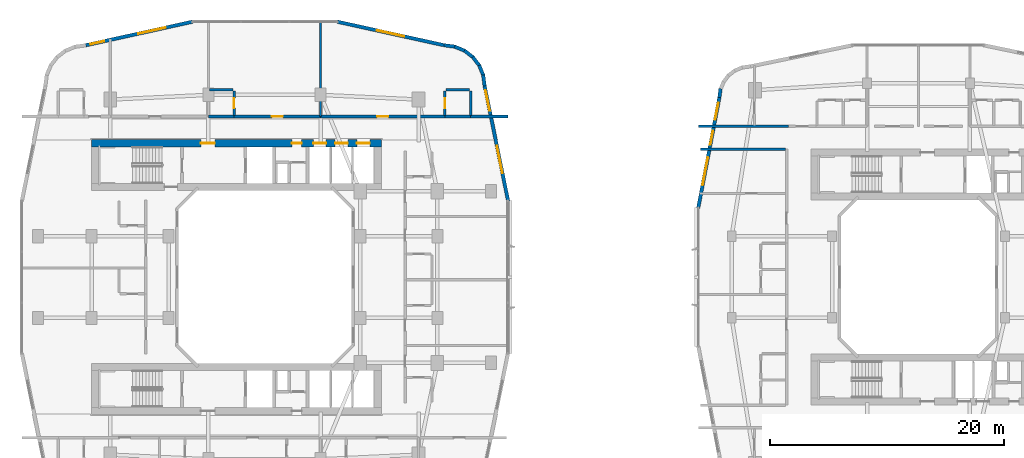
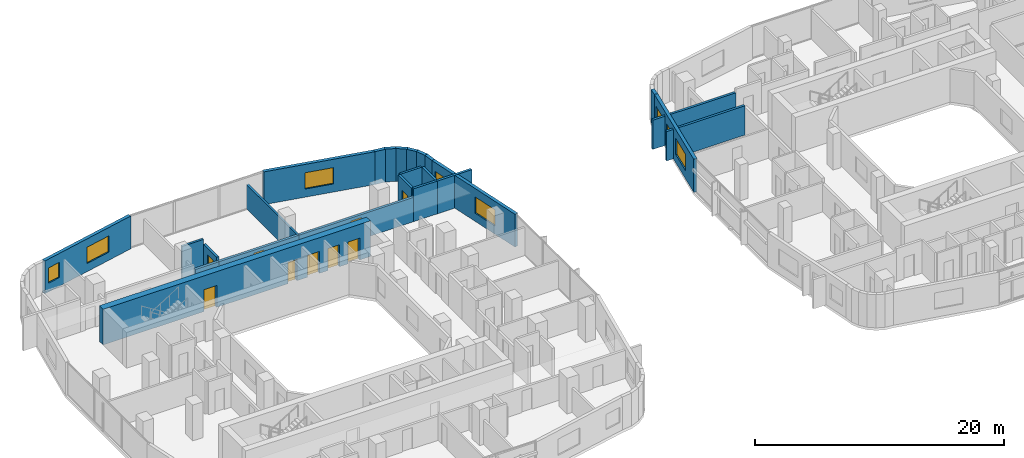
# One storey, part 17 of 27: 25 walls, 9 doors, 8 windows, 17 openings.
"""IFC4 building model written with IfcOpenShell, lengths in metres."""

from ifc_helpers import new_model, si_unit, derived_unit, direction, frame, frame_2d, origin, place, context, subcontext, project, spatial, rectangle, extrude, material, layer, layer_set, type_object, element, fill, save


model = new_model("IFC4")

# Units and contexts
model_context = context("Model", 3, precision=1e-05, world=origin(), true_north=direction((0.0, 1.0)))
body_context = subcontext(model_context, "Body", "Model", "MODEL_VIEW")
ifc_project = project(units=[si_unit("LENGTHUNIT", "METRE"), si_unit("AREAUNIT", "SQUARE_METRE"), si_unit("VOLUMEUNIT", "CUBIC_METRE"), si_unit("PLANEANGLEUNIT", "RADIAN"), si_unit("MASSUNIT", "GRAM", prefix="KILO"), derived_unit("THERMALTRANSMITTANCEUNIT", [(si_unit("POWERUNIT", "WATT"), 1), (si_unit("LENGTHUNIT", "METRE"), -2), (si_unit("THERMODYNAMICTEMPERATUREUNIT", "KELVIN"), -1)])], contexts=[model_context])

# Site, building, storey
site_placement = place(None, origin())
site = spatial("IfcSite", under=ifc_project, at=site_placement, CompositionType="ELEMENT")
building_placement = place(site_placement, origin())
building = spatial("IfcBuilding", under=site, at=building_placement, Name="Kivonza Crest Hotel", CompositionType="ELEMENT")
storey_placement = place(building_placement, frame((0.0, 0.0, 38.0)))
storey = spatial("IfcBuildingStorey", under=building, at=storey_placement, Name="L09", CompositionType="ELEMENT", Elevation=38.0)

# Walls
ifc_material_1 = material(Name="High-density acoustic masonry inter-tenancy wall", Category="masonry")
ifc_layer_1 = layer(ifc_material_1, 0.179931640625)
ifc_layer_set_1 = layer_set([ifc_layer_1], Name="High-density acoustic masonry inter-tenancy wall")
wall_type_1 = type_object("IfcWallType", Name="WL-ACOU-180", PredefinedType="SOLIDWALL", material=ifc_layer_set_1)
wall_1_placement = place(storey_placement, frame((25.800048828125, 38.75, 0.0), z_axis=(0.0, 0.0, 1.0), x_axis=(0.0, 1.0, 0.0)))
element("IfcWall", 1, at=wall_1_placement, inside=storey, type_object=wall_type_1, Name="L09 interior partition WA-L09-T1N-DIV3", PredefinedType="SOLIDWALL", context=body_context, shape_type="SweptSolid", body=[
    extrude(rectangle(XDim=8.18994140625, YDim=0.179931640625, at=frame_2d((4.094970703125, 0.0))), origin(), (0.0, 0.0, 1.0), 2.39501953125),
])
ifc_material_2 = material(Name="Autoclaved aerated concrete blockwork", Category="masonry")
ifc_layer_2 = layer(ifc_material_2, 0.219970703125)
ifc_layer_set_2 = layer_set([ifc_layer_2], Name="Autoclaved aerated concrete blockwork")
wall_type_2 = type_object("IfcWallType", Name="WL-ACOU-220", PredefinedType="SOLIDWALL", material=ifc_layer_set_2)
wall_2_placement = place(storey_placement, frame((16.199951171875, 38.75, 0.0), z_axis=(0.0, 0.0, 1.0), x_axis=(1.0, 0.0, 0.0)))
element("IfcWall", 2, at=wall_2_placement, inside=storey, type_object=wall_type_2, Name="L09 interior partition WA-L09-N02-BCORR", PredefinedType="SOLIDWALL", context=body_context, shape_type="SweptSolid", body=[
    extrude(rectangle(XDim=2.199951171875, YDim=0.219970703125, at=frame_2d((1.10009765625, 0.0))), origin(), (0.0, 0.0, 1.0), 2.39501953125),
])

# Wall, opening, door
wall_3_placement = place(storey_placement, frame((18.39990234375, 38.75, 0.0), z_axis=(0.0, 0.0, 1.0), x_axis=(1.0, 0.0, 0.0)))
wall_3 = element("IfcWall", 3, at=wall_3_placement, inside=storey, type_object=wall_type_2, Name="L09 interior partition WA-L09-N02-MCORR", PredefinedType="SOLIDWALL", context=body_context, shape_type="SweptSolid", body=[
    extrude(rectangle(XDim=7.400146484375, YDim=0.219970703125, at=frame_2d((3.7001953125, 0.0))), origin(), (0.0, 0.0, 1.0), 2.39501953125),
])
opening_1_placement = place(wall_3_placement, frame((3.22509765625, 0.0, 0.0)))
opening_1 = element("IfcOpeningElement", 4, at=opening_1_placement, cuts=wall_3, Name="Opening DU-60", PredefinedType="OPENING", context=body_context, shape_type="SweptSolid", body=[
    extrude(rectangle(XDim=0.949951171875, YDim=2.10009765625, at=frame_2d((0.47509765625, 1.050048828125))), frame((0.0, 0.1201171875, 0.0), z_axis=(0.0, -1.0, 0.0), x_axis=(1.0, 0.0, 0.0)), (0.0, 0.0, 1.0), 0.239990234375),
])
ifc_material_3 = material(Name="Hardwood timber oak", Category="wood")
door_type_1 = type_object("IfcDoorType", Name="DR-UNIT-950", OperationType="NOTDEFINED", PredefinedType="DOOR", material=ifc_material_3)
door_1_placement = place(opening_1_placement, origin())
door_1 = element("IfcDoor", 5, at=door_1_placement, inside=storey, type_object=door_type_1, Name="L09 N02 guest unit entrance fire door", OperationType="SINGLE_SWING_RIGHT", OverallHeight=2.10009765625, OverallWidth=0.949951171875, PredefinedType="DOOR", context=body_context, shape_type="SweptSolid", body=[
    extrude(rectangle(XDim=0.949951171875, YDim=2.10009765625, at=frame_2d((0.47509765625, 1.050048828125))), frame((0.0, 0.02490234375, 0.0), z_axis=(0.0, -1.0, 0.0), x_axis=(1.0, 0.0, 0.0)), (0.0, 0.0, 1.0), 0.050048828125),
])
fill(opening_1, door_1)

# Walls
wall_4_placement = place(storey_placement, frame((38.64990234375, 38.75, 0.0), z_axis=(0.0, 0.0, 1.0), x_axis=(1.0, 0.0, 0.0)))
element("IfcWall", 6, at=wall_4_placement, inside=storey, type_object=wall_type_2, Name="L09 interior partition WA-L09-N03-XCORR", PredefinedType="SOLIDWALL", context=body_context, shape_type="SweptSolid", body=[
    extrude(rectangle(XDim=3.190185546875, YDim=0.219970703125, at=frame_2d((1.59521484375, 0.0))), origin(), (0.0, 0.0, 1.0), 3.219970703125),
])
wall_5_placement = place(storey_placement, frame((36.449951171875, 38.75, 0.0), z_axis=(0.0, 0.0, 1.0), x_axis=(1.0, 0.0, 0.0)))
element("IfcWall", 7, at=wall_5_placement, inside=storey, type_object=wall_type_2, Name="L09 interior partition WA-L09-N03-BCORR", PredefinedType="SOLIDWALL", context=body_context, shape_type="SweptSolid", body=[
    extrude(rectangle(XDim=2.199951171875, YDim=0.219970703125, at=frame_2d((1.10009765625, 0.0))), origin(), (0.0, 0.0, 1.0), 3.219970703125),
])

# Wall, opening, door
wall_6_placement = place(storey_placement, frame((25.800048828125, 38.75, 0.0), z_axis=(0.0, 0.0, 1.0), x_axis=(1.0, 0.0, 0.0)))
wall_6 = element("IfcWall", 8, at=wall_6_placement, inside=storey, type_object=wall_type_2, Name="L09 interior partition WA-L09-N03-MCORR", PredefinedType="SOLIDWALL", context=body_context, shape_type="SweptSolid", body=[
    extrude(rectangle(XDim=10.64990234375, YDim=0.219970703125, at=frame_2d((5.324951171875, 0.0))), origin(), (0.0, 0.0, 1.0), 2.39501953125),
])
opening_2_placement = place(wall_6_placement, frame((4.85009765625, 0.0, 0.0)))
opening_2 = element("IfcOpeningElement", 9, at=opening_2_placement, cuts=wall_6, Name="Opening DU-60", PredefinedType="OPENING", context=body_context, shape_type="SweptSolid", body=[
    extrude(rectangle(XDim=0.949951171875, YDim=2.10009765625, at=frame_2d((0.47509765625, 1.050048828125))), frame((0.0, 0.1201171875, 0.0), z_axis=(0.0, -1.0, 0.0), x_axis=(1.0, 0.0, 0.0)), (0.0, 0.0, 1.0), 0.239990234375),
])
door_2_placement = place(opening_2_placement, origin())
door_2 = element("IfcDoor", 10, at=door_2_placement, inside=storey, type_object=door_type_1, Name="L09 N03 guest unit entrance fire door", OperationType="SINGLE_SWING_LEFT", OverallHeight=2.10009765625, OverallWidth=0.949951171875, PredefinedType="DOOR", context=body_context, shape_type="SweptSolid", body=[
    extrude(rectangle(XDim=0.949951171875, YDim=2.10009765625, at=frame_2d((0.47509765625, 1.050048828125))), frame((0.0, 0.02490234375, 0.0), z_axis=(0.0, -1.0, 0.0), x_axis=(1.0, 0.0, 0.0)), (0.0, 0.0, 1.0), 0.050048828125),
])
fill(opening_2, door_2)

# Walls
wall_7_placement = place(storey_placement, frame((58.159912109375, 37.89990234375, 0.0), z_axis=(0.0, 0.0, 1.0), x_axis=(1.0, 0.0, 0.0)))
element("IfcWall", 11, at=wall_7_placement, inside=storey, type_object=wall_type_2, Name="L09 interior partition WA-L09-A01-LCORR", PredefinedType="SOLIDWALL", context=body_context, shape_type="SweptSolid", body=[
    extrude(rectangle(XDim=7.690185546875, YDim=0.219970703125, at=frame_2d((3.84521484375, 0.0))), origin(), (0.0, 0.0, 1.0), 2.864990234375),
])
wall_8_placement = place(storey_placement, frame((58.320068359375, 35.9599609375, 0.0), z_axis=(0.0, 0.0, 1.0), x_axis=(1.0, 0.0, 0.0)))
element("IfcWall", 12, at=wall_8_placement, inside=storey, type_object=wall_type_2, Name="L09 interior partition WA-L09-T2W-ENDN", PredefinedType="SOLIDWALL", context=body_context, shape_type="SweptSolid", body=[
    extrude(rectangle(XDim=7.280029296875, YDim=0.219970703125, at=frame_2d((3.64013671875, 0.0))), origin(), (0.0, 0.0, 1.0), 2.864990234375),
])

# Wall, openings, doors
ifc_material_4 = material(Name="Concrete C60/75", Category="concrete")
ifc_layer_3 = layer(ifc_material_4, 0.60009765625)
ifc_layer_set_3 = layer_set([ifc_layer_3], Name="Concrete C60/75")
wall_type_3 = type_object("IfcWallType", Name="WL-CORE-600", PredefinedType="SHEAR", material=ifc_layer_set_3)
wall_9_placement = place(storey_placement, frame((6.199951171875, 36.4599609375, 0.0), z_axis=(0.0, 0.0, 1.0), x_axis=(1.0, 0.0, 0.0)))
wall_9 = element("IfcWall", 13, at=wall_9_placement, inside=storey, type_object=wall_type_3, Name="Core wall T1-N North L09", PredefinedType="SHEAR", context=body_context, shape_type="SweptSolid", body=[
    extrude(rectangle(XDim=24.800048828125, YDim=0.60009765625, at=frame_2d((12.39990234375, 0.0))), origin(), (0.0, 0.0, 1.0), 3.5),
])
opening_3_placement = place(wall_9_placement, frame((9.35009765625, 0.0, 0.0)))
opening_3 = element("IfcOpeningElement", 14, at=opening_3_placement, cuts=wall_9, Name="Opening DF-60", PredefinedType="OPENING", context=body_context, shape_type="SweptSolid", body=[
    extrude(rectangle(XDim=1.199951171875, YDim=2.14990234375, at=frame_2d((0.60009765625, 1.074951171875))), frame((0.0, 0.31005859375, 0.0), z_axis=(0.0, -1.0, 0.0), x_axis=(1.0, 0.0, 0.0)), (0.0, 0.0, 1.0), 0.6201171875),
])
opening_4_placement = place(wall_9_placement, frame((17.139892578125, 0.0, 0.0)))
opening_4 = element("IfcOpeningElement", 15, at=opening_4_placement, cuts=wall_9, Name="Opening DF-60R", PredefinedType="OPENING", context=body_context, shape_type="SweptSolid", body=[
    extrude(rectangle(XDim=0.85009765625, YDim=2.10009765625, at=frame_2d((0.425048828125, 1.050048828125))), frame((0.0, 0.31005859375, 0.0), z_axis=(0.0, -1.0, 0.0), x_axis=(1.0, 0.0, 0.0)), (0.0, 0.0, 1.0), 0.6201171875),
])
opening_5_placement = place(wall_9_placement, frame((18.98291015625, 0.0, 0.0)))
opening_5 = element("IfcOpeningElement", 16, at=opening_5_placement, cuts=wall_9, Name="Opening LD-120", PredefinedType="OPENING", context=body_context, shape_type="SweptSolid", body=[
    extrude(rectangle(XDim=1.10009765625, YDim=2.14990234375, at=frame_2d((0.550048828125, 1.074951171875))), frame((0.0, 0.31005859375, 0.0), z_axis=(0.0, -1.0, 0.0), x_axis=(1.0, 0.0, 0.0)), (0.0, 0.0, 1.0), 0.6201171875),
])
opening_6_placement = place(wall_9_placement, frame((20.85009765625, 0.0, 0.0)))
opening_6 = element("IfcOpeningElement", 17, at=opening_6_placement, cuts=wall_9, Name="Opening LD-120", PredefinedType="OPENING", context=body_context, shape_type="SweptSolid", body=[
    extrude(rectangle(XDim=1.10009765625, YDim=2.14990234375, at=frame_2d((0.550048828125, 1.074951171875))), frame((0.0, 0.31005859375, 0.0), z_axis=(0.0, -1.0, 0.0), x_axis=(1.0, 0.0, 0.0)), (0.0, 0.0, 1.0), 0.6201171875),
])
opening_7_placement = place(wall_9_placement, frame((22.716064453125, 0.0, 0.0)))
opening_7 = element("IfcOpeningElement", 18, at=opening_7_placement, cuts=wall_9, Name="Opening LD-120", PredefinedType="OPENING", context=body_context, shape_type="SweptSolid", body=[
    extrude(rectangle(XDim=1.10009765625, YDim=2.14990234375, at=frame_2d((0.550048828125, 1.074951171875))), frame((0.0, 0.31005859375, 0.0), z_axis=(0.0, -1.0, 0.0), x_axis=(1.0, 0.0, 0.0)), (0.0, 0.0, 1.0), 0.6201171875),
])
door_type_2 = type_object("IfcDoorType", Name="DR-FD60-1200", OperationType="NOTDEFINED", PredefinedType="DOOR", material=ifc_material_3)
door_3_placement = place(opening_3_placement, origin())
door_3 = element("IfcDoor", 19, at=door_3_placement, inside=storey, type_object=door_type_2, Name="L09 T1-N firefighting lobby fire door", OperationType="SINGLE_SWING_RIGHT", OverallHeight=2.14990234375, OverallWidth=1.199951171875, PredefinedType="DOOR", context=body_context, shape_type="SweptSolid", body=[
    extrude(rectangle(XDim=1.199951171875, YDim=2.14990234375, at=frame_2d((0.60009765625, 1.074951171875))), frame((0.0, 0.02490234375, 0.0), z_axis=(0.0, -1.0, 0.0), x_axis=(1.0, 0.0, 0.0)), (0.0, 0.0, 1.0), 0.050048828125),
])
fill(opening_3, door_3)
door_type_3 = type_object("IfcDoorType", Name="DR-FD60-850", OperationType="NOTDEFINED", PredefinedType="DOOR", material=ifc_material_3)
door_4_placement = place(opening_4_placement, origin())
door_4 = element("IfcDoor", 20, at=door_4_placement, inside=storey, type_object=door_type_3, Name="L09 T1-N core room door", OperationType="SINGLE_SWING_RIGHT", OverallHeight=2.10009765625, OverallWidth=0.85009765625, PredefinedType="DOOR", context=body_context, shape_type="SweptSolid", body=[
    extrude(rectangle(XDim=0.85009765625, YDim=2.10009765625, at=frame_2d((0.425048828125, 1.050048828125))), frame((0.0, 0.02490234375, 0.0), z_axis=(0.0, -1.0, 0.0), x_axis=(1.0, 0.0, 0.0)), (0.0, 0.0, 1.0), 0.050048828125),
])
fill(opening_4, door_4)
ifc_material_5 = material(Name="Stainless steel", Category="steel")
door_type_4 = type_object("IfcDoorType", Name="DR-LD120-1100", OperationType="NOTDEFINED", PredefinedType="DOOR", material=ifc_material_5)
door_5_placement = place(opening_5_placement, origin())
door_5 = element("IfcDoor", 21, at=door_5_placement, inside=storey, type_object=door_type_4, Name="L09 PL-T1-L1 passenger lift sliding landing door", OperationType="DOUBLE_DOOR_SLIDING", OverallHeight=2.14990234375, OverallWidth=1.10009765625, PredefinedType="DOOR", context=body_context, shape_type="SweptSolid", body=[
    extrude(rectangle(XDim=1.10009765625, YDim=2.14990234375, at=frame_2d((0.550048828125, 1.074951171875))), frame((0.0, 0.02490234375, 0.0), z_axis=(0.0, -1.0, 0.0), x_axis=(1.0, 0.0, 0.0)), (0.0, 0.0, 1.0), 0.050048828125),
])
fill(opening_5, door_5)
door_6_placement = place(opening_6_placement, origin())
door_6 = element("IfcDoor", 22, at=door_6_placement, inside=storey, type_object=door_type_4, Name="L09 PL-T1-L2 passenger lift sliding landing door", OperationType="DOUBLE_DOOR_SLIDING", OverallHeight=2.14990234375, OverallWidth=1.10009765625, PredefinedType="DOOR", context=body_context, shape_type="SweptSolid", body=[
    extrude(rectangle(XDim=1.10009765625, YDim=2.14990234375, at=frame_2d((0.550048828125, 1.074951171875))), frame((0.0, 0.02490234375, 0.0), z_axis=(0.0, -1.0, 0.0), x_axis=(1.0, 0.0, 0.0)), (0.0, 0.0, 1.0), 0.050048828125),
])
fill(opening_6, door_6)
door_7_placement = place(opening_7_placement, origin())
door_7 = element("IfcDoor", 23, at=door_7_placement, inside=storey, type_object=door_type_4, Name="L09 PL-T1-L3 passenger lift sliding landing door", OperationType="DOUBLE_DOOR_SLIDING", OverallHeight=2.14990234375, OverallWidth=1.10009765625, PredefinedType="DOOR", context=body_context, shape_type="SweptSolid", body=[
    extrude(rectangle(XDim=1.10009765625, YDim=2.14990234375, at=frame_2d((0.550048828125, 1.074951171875))), frame((0.0, 0.02490234375, 0.0), z_axis=(0.0, -1.0, 0.0), x_axis=(1.0, 0.0, 0.0)), (0.0, 0.0, 1.0), 0.050048828125),
])
fill(opening_7, door_7)

# Wall, openings, windows
ifc_material_6 = material(Name="Precast concrete C40/50", Category="concrete")
ifc_layer_4 = layer(ifc_material_6, 0.300048828125)
ifc_layer_set_4 = layer_set([ifc_layer_4], Name="Precast concrete C40/50")
wall_type_4 = type_object("IfcWallType", Name="WL-EXT-300", PredefinedType="STANDARD", material=ifc_layer_set_4)
wall_10_placement = place(storey_placement, frame((41.864013671875, 31.51611328125, 0.0), z_axis=(0.0, 0.0, 1.0), x_axis=(-0.199990901713, 0.979797754249, 0.0)))
wall_10 = element("IfcWall", 24, at=wall_10_placement, inside=storey, type_object=wall_type_4, Name="L09 T1 exterior insulated wall 18", PredefinedType="STANDARD", context=body_context, shape_type="SweptSolid", body=[
    extrude(rectangle(XDim=10.065185546875, YDim=0.300048828125, at=frame_2d((5.03271484375, 0.0))), origin(), (0.0, 0.0, 1.0), 3.219970703125),
])
opening_8_placement = place(wall_10_placement, frame((2.428955078125, 0.0, 0.800048828125)))
opening_8 = element("IfcOpeningElement", 25, at=opening_8_placement, cuts=wall_10, Name="Opening WN-05", PredefinedType="OPENING", context=body_context, shape_type="SweptSolid", body=[
    extrude(rectangle(XDim=2.39990234375, YDim=1.60009765625, at=frame_2d((1.199951171875, 0.800048828125))), frame((0.0, 0.16015625, 0.0), z_axis=(0.0, -1.0, 0.0), x_axis=(1.0, 0.0, 0.0)), (0.0, 0.0, 1.0), 0.320068359375),
])
opening_9_placement = place(wall_10_placement, frame((7.886962890625, 0.0, 0.85009765625)))
opening_9 = element("IfcOpeningElement", 26, at=opening_9_placement, cuts=wall_10, Name="Opening WN-03", PredefinedType="OPENING", context=body_context, shape_type="SweptSolid", body=[
    extrude(rectangle(XDim=1.800048828125, YDim=1.5, at=frame_2d((0.89990234375, 0.75))), frame((0.0, 0.16015625, 0.0), z_axis=(0.0, -1.0, 0.0), x_axis=(1.0, 0.0, 0.0)), (0.0, 0.0, 1.0), 0.320068359375),
])
ifc_material_7 = material(Name="Thermally broken bronze aluminium and low-E double glazing", Category="aluminium")
window_type_1 = type_object("IfcWindowType", Name="WN-180x150", PartitioningType="DOUBLE_PANEL_VERTICAL", PredefinedType="WINDOW", material=ifc_material_7)
window_1_placement = place(opening_9_placement, origin())
window_1 = element("IfcWindow", 27, at=window_1_placement, inside=storey, type_object=window_type_1, Name="L09 T1 facade window 18 bay 2", OverallHeight=1.5, OverallWidth=1.800048828125, PartitioningType="SINGLE_PANEL", PredefinedType="WINDOW", context=body_context, shape_type="SweptSolid", body=[
    extrude(rectangle(XDim=1.800048828125, YDim=1.5, at=frame_2d((0.89990234375, 0.75))), frame((0.0, 0.030029296875, 0.0), z_axis=(0.0, -1.0, 0.0), x_axis=(1.0, 0.0, 0.0)), (0.0, 0.0, 1.0), 0.06005859375),
])
fill(opening_9, window_1)
window_type_2 = type_object("IfcWindowType", Name="WN-240x160", PartitioningType="TRIPLE_PANEL_VERTICAL", PredefinedType="WINDOW", material=ifc_material_7)
window_2_placement = place(opening_8_placement, origin())
window_2 = element("IfcWindow", 28, at=window_2_placement, inside=storey, type_object=window_type_2, Name="L09 T1 facade window 18 bay 1", OverallHeight=1.60009765625, OverallWidth=2.39990234375, PartitioningType="SINGLE_PANEL", PredefinedType="WINDOW", context=body_context, shape_type="SweptSolid", body=[
    extrude(rectangle(XDim=2.39990234375, YDim=1.60009765625, at=frame_2d((1.199951171875, 0.800048828125))), frame((0.0, 0.030029296875, 0.0), z_axis=(0.0, -1.0, 0.0), x_axis=(1.0, 0.0, 0.0)), (0.0, 0.0, 1.0), 0.06005859375),
])
fill(opening_8, window_2)

# Walls
wall_11_placement = place(storey_placement, frame((39.85205078125, 41.3720703125, 0.0), z_axis=(0.0, 0.0, 1.0), x_axis=(-0.131174864804, 0.991359246108, 0.0)))
element("IfcWall", 29, at=wall_11_placement, inside=storey, type_object=wall_type_4, Name="L09 T1 exterior insulated wall 19", PredefinedType="STANDARD", context=body_context, shape_type="SweptSolid", body=[
    extrude(rectangle(XDim=0.93798828125, YDim=0.300048828125, at=frame_2d((0.468994140625, 0.0))), origin(), (0.0, 0.0, 1.0), 3.219970703125),
])
wall_12_placement = place(storey_placement, frame((39.748046875, 42.251953125, 0.0), z_axis=(0.0, 0.0, 1.0), x_axis=(-0.382344263057, 0.924019948111, 0.0)))
element("IfcWall", 30, at=wall_12_placement, inside=storey, type_object=wall_type_4, Name="L09 T1 exterior insulated wall 20", PredefinedType="STANDARD", context=body_context, shape_type="SweptSolid", body=[
    extrude(rectangle(XDim=0.95458984375, YDim=0.300048828125, at=frame_2d((0.477294921875, 0.0))), origin(), (0.0, 0.0, 1.0), 3.219970703125),
])
wall_13_placement = place(storey_placement, frame((39.4140625, 43.089111328125, 0.0), z_axis=(0.0, 0.0, 1.0), x_axis=(-0.608474481025, 0.793573440799, 0.0)))
element("IfcWall", 31, at=wall_13_placement, inside=storey, type_object=wall_type_4, Name="L09 T1 exterior insulated wall 21", PredefinedType="STANDARD", context=body_context, shape_type="SweptSolid", body=[
    extrude(rectangle(XDim=0.954833984375, YDim=0.300048828125, at=frame_2d((0.4775390625, 0.0))), origin(), (0.0, 0.0, 1.0), 3.219970703125),
])
wall_14_placement = place(storey_placement, frame((38.875, 43.81201171875, 0.0), z_axis=(0.0, 0.0, 1.0), x_axis=(-0.793668068435, 0.608351047625, 0.0)))
element("IfcWall", 32, at=wall_14_placement, inside=storey, type_object=wall_type_4, Name="L09 T1 exterior insulated wall 22", PredefinedType="STANDARD", context=body_context, shape_type="SweptSolid", body=[
    extrude(rectangle(XDim=0.955078125, YDim=0.300048828125, at=frame_2d((0.4775390625, 0.0))), origin(), (0.0, 0.0, 1.0), 3.219970703125),
])
wall_15_placement = place(storey_placement, frame((38.166015625, 44.368896484375, 0.0), z_axis=(0.0, 0.0, 1.0), x_axis=(-0.924019948111, 0.382344263057, 0.0)))
element("IfcWall", 33, at=wall_15_placement, inside=storey, type_object=wall_type_4, Name="L09 T1 exterior insulated wall 23", PredefinedType="STANDARD", context=body_context, shape_type="SweptSolid", body=[
    extrude(rectangle(XDim=0.95458984375, YDim=0.300048828125, at=frame_2d((0.477294921875, 0.0))), origin(), (0.0, 0.0, 1.0), 3.219970703125),
])
wall_16_placement = place(storey_placement, frame((37.3369140625, 44.72509765625, 0.0), z_axis=(0.0, 0.0, 1.0), x_axis=(-0.991454295543, 0.130454512571, 0.0)))
element("IfcWall", 34, at=wall_16_placement, inside=storey, type_object=wall_type_4, Name="L09 T1 exterior insulated wall 24", PredefinedType="STANDARD", context=body_context, shape_type="SweptSolid", body=[
    extrude(rectangle(XDim=0.97314453125, YDim=0.300048828125, at=frame_2d((0.486572265625, 0.0))), origin(), (0.0, 0.0, 1.0), 3.219970703125),
])

# Wall, opening, window
wall_17_placement = place(storey_placement, frame((36.3759765625, 44.85205078125, 0.0), z_axis=(0.0, 0.0, 1.0), x_axis=(-0.97654500432, 0.215313386808, 0.0)))
wall_17 = element("IfcWall", 35, at=wall_17_placement, inside=storey, type_object=wall_type_4, Name="L09 T1 exterior insulated wall 25", PredefinedType="STANDARD", context=body_context, shape_type="SweptSolid", body=[
    extrude(rectangle(XDim=9.353515625, YDim=0.300048828125, at=frame_2d((4.6767578125, 0.0))), origin(), (0.0, 0.0, 1.0), 3.219970703125),
])
opening_10_placement = place(wall_17_placement, frame((3.47705078125, 0.0, 0.800048828125)))
opening_10 = element("IfcOpeningElement", 36, at=opening_10_placement, cuts=wall_17, Name="Opening WN-05", PredefinedType="OPENING", context=body_context, shape_type="SweptSolid", body=[
    extrude(rectangle(XDim=2.39990234375, YDim=1.60009765625, at=frame_2d((1.199951171875, 0.800048828125))), frame((0.0, 0.16015625, 0.0), z_axis=(0.0, -1.0, 0.0), x_axis=(1.0, 0.0, 0.0)), (0.0, 0.0, 1.0), 0.320068359375),
])
window_3_placement = place(opening_10_placement, origin())
window_3 = element("IfcWindow", 37, at=window_3_placement, inside=storey, type_object=window_type_2, Name="L09 T1 facade window 25", OverallHeight=1.60009765625, OverallWidth=2.39990234375, PartitioningType="SINGLE_PANEL", PredefinedType="WINDOW", context=body_context, shape_type="SweptSolid", body=[
    extrude(rectangle(XDim=2.39990234375, YDim=1.60009765625, at=frame_2d((1.199951171875, 0.800048828125))), frame((0.0, 0.030029296875, 0.0), z_axis=(0.0, -1.0, 0.0), x_axis=(1.0, 0.0, 0.0)), (0.0, 0.0, 1.0), 0.06005859375),
])
fill(opening_10, window_3)

# Wall, openings, windows
wall_18_placement = place(storey_placement, frame((14.837890625, 46.865966796875, 0.0), z_axis=(0.0, 0.0, 1.0), x_axis=(-0.9765437942, -0.215318875183, 0.0)))
wall_18 = element("IfcWall", 38, at=wall_18_placement, inside=storey, type_object=wall_type_4, Name="L09 T1 exterior insulated wall 27", PredefinedType="STANDARD", context=body_context, shape_type="SweptSolid", body=[
    extrude(rectangle(XDim=9.353271484375, YDim=0.300048828125, at=frame_2d((4.6767578125, 0.0))), origin(), (0.0, 0.0, 1.0), 3.219970703125),
])
opening_11_placement = place(wall_18_placement, frame((2.364013671875, 0.0, 0.800048828125)))
opening_11 = element("IfcOpeningElement", 39, at=opening_11_placement, cuts=wall_18, Name="Opening WN-05", PredefinedType="OPENING", context=body_context, shape_type="SweptSolid", body=[
    extrude(rectangle(XDim=2.39990234375, YDim=1.60009765625, at=frame_2d((1.199951171875, 0.800048828125))), frame((0.0, 0.16015625, 0.0), z_axis=(0.0, -1.0, 0.0), x_axis=(1.0, 0.0, 0.0)), (0.0, 0.0, 1.0), 0.320068359375),
])
opening_12_placement = place(wall_18_placement, frame((7.74609375, 0.0, 0.85009765625)))
opening_12 = element("IfcOpeningElement", 40, at=opening_12_placement, cuts=wall_18, Name="Opening WN-01", PredefinedType="OPENING", context=body_context, shape_type="SweptSolid", body=[
    extrude(rectangle(XDim=1.199951171875, YDim=1.5, at=frame_2d((0.60009765625, 0.75))), frame((0.0, 0.16015625, 0.0), z_axis=(0.0, -1.0, 0.0), x_axis=(1.0, 0.0, 0.0)), (0.0, 0.0, 1.0), 0.320068359375),
])
window_type_3 = type_object("IfcWindowType", Name="WN-120x150", PartitioningType="SINGLE_PANEL", PredefinedType="WINDOW", material=ifc_material_7)
window_4_placement = place(opening_12_placement, origin())
window_4 = element("IfcWindow", 41, at=window_4_placement, inside=storey, type_object=window_type_3, Name="L09 T1 facade window 27 bay 2", OverallHeight=1.5, OverallWidth=1.199951171875, PartitioningType="SINGLE_PANEL", PredefinedType="WINDOW", context=body_context, shape_type="SweptSolid", body=[
    extrude(rectangle(XDim=1.199951171875, YDim=1.5, at=frame_2d((0.60009765625, 0.75))), frame((0.0, 0.030029296875, 0.0), z_axis=(0.0, -1.0, 0.0), x_axis=(1.0, 0.0, 0.0)), (0.0, 0.0, 1.0), 0.06005859375),
])
fill(opening_12, window_4)
window_5_placement = place(opening_11_placement, origin())
window_5 = element("IfcWindow", 42, at=window_5_placement, inside=storey, type_object=window_type_2, Name="L09 T1 facade window 27 bay 1", OverallHeight=1.60009765625, OverallWidth=2.39990234375, PartitioningType="SINGLE_PANEL", PredefinedType="WINDOW", context=body_context, shape_type="SweptSolid", body=[
    extrude(rectangle(XDim=2.39990234375, YDim=1.60009765625, at=frame_2d((1.199951171875, 0.800048828125))), frame((0.0, 0.030029296875, 0.0), z_axis=(0.0, -1.0, 0.0), x_axis=(1.0, 0.0, 0.0)), (0.0, 0.0, 1.0), 0.06005859375),
])
fill(opening_11, window_5)

# Wall
wall_19_placement = place(storey_placement, frame((60.047119140625, 41.131103515625, 0.0), z_axis=(0.0, 0.0, 1.0), x_axis=(-0.129653178221, -0.991559404866, 0.0)))
element("IfcWall", 43, at=wall_19_placement, inside=storey, type_object=wall_type_4, Name="L09 T2 exterior insulated wall 33", PredefinedType="STANDARD", context=body_context, shape_type="SweptSolid", body=[
    extrude(rectangle(XDim=0.764404296875, YDim=0.300048828125, at=frame_2d((0.38232421875, 0.0))), origin(), (0.0, 0.0, 1.0), 3.25),
])

# Wall, openings, windows
wall_20_placement = place(storey_placement, frame((59.948974609375, 40.3798828125, 0.0), z_axis=(0.0, 0.0, 1.0), x_axis=(-0.188087874316, -0.982152203854, 0.0)))
wall_20 = element("IfcWall", 44, at=wall_20_placement, inside=storey, type_object=wall_type_4, Name="L09 T2 exterior insulated wall 34", PredefinedType="STANDARD", context=body_context, shape_type="SweptSolid", body=[
    extrude(rectangle(XDim=9.6337890625, YDim=0.300048828125, at=frame_2d((4.81689453125, 0.0))), origin(), (0.0, 0.0, 1.0), 3.25),
])
opening_13_placement = place(wall_20_placement, frame((0.451904296875, 0.0, 0.85009765625)))
opening_13 = element("IfcOpeningElement", 45, at=opening_13_placement, cuts=wall_20, Name="Opening WN-02", PredefinedType="OPENING", context=body_context, shape_type="SweptSolid", body=[
    extrude(rectangle(XDim=1.5, YDim=1.5, at=frame_2d((0.75, 0.75))), frame((0.0, 0.16015625, 0.0), z_axis=(0.0, -1.0, 0.0), x_axis=(1.0, 0.0, 0.0)), (0.0, 0.0, 1.0), 0.320068359375),
])
opening_14_placement = place(wall_20_placement, frame((2.9130859375, 0.0, 0.85009765625)))
opening_14 = element("IfcOpeningElement", 46, at=opening_14_placement, cuts=wall_20, Name="Opening WN-01", PredefinedType="OPENING", context=body_context, shape_type="SweptSolid", body=[
    extrude(rectangle(XDim=1.199951171875, YDim=1.5, at=frame_2d((0.60009765625, 0.75))), frame((0.0, 0.16015625, 0.0), z_axis=(0.0, -1.0, 0.0), x_axis=(1.0, 0.0, 0.0)), (0.0, 0.0, 1.0), 0.320068359375),
])
opening_15_placement = place(wall_20_placement, frame((5.235107421875, 0.0, 0.800048828125)))
opening_15 = element("IfcOpeningElement", 47, at=opening_15_placement, cuts=wall_20, Name="Opening WN-05", PredefinedType="OPENING", context=body_context, shape_type="SweptSolid", body=[
    extrude(rectangle(XDim=2.39990234375, YDim=1.60009765625, at=frame_2d((1.199951171875, 0.800048828125))), frame((0.0, 0.16015625, 0.0), z_axis=(0.0, -1.0, 0.0), x_axis=(1.0, 0.0, 0.0)), (0.0, 0.0, 1.0), 0.320068359375),
])
window_6_placement = place(opening_14_placement, origin())
window_6 = element("IfcWindow", 48, at=window_6_placement, inside=storey, type_object=window_type_3, Name="L09 T2 facade window 34 bay 2", OverallHeight=1.5, OverallWidth=1.199951171875, PartitioningType="SINGLE_PANEL", PredefinedType="WINDOW", context=body_context, shape_type="SweptSolid", body=[
    extrude(rectangle(XDim=1.199951171875, YDim=1.5, at=frame_2d((0.60009765625, 0.75))), frame((0.0, 0.030029296875, 0.0), z_axis=(0.0, -1.0, 0.0), x_axis=(1.0, 0.0, 0.0)), (0.0, 0.0, 1.0), 0.06005859375),
])
fill(opening_14, window_6)
window_type_4 = type_object("IfcWindowType", Name="WN-150x150", PartitioningType="DOUBLE_PANEL_VERTICAL", PredefinedType="WINDOW", material=ifc_material_7)
window_7_placement = place(opening_13_placement, origin())
window_7 = element("IfcWindow", 49, at=window_7_placement, inside=storey, type_object=window_type_4, Name="L09 T2 facade window 34 bay 1", OverallHeight=1.5, OverallWidth=1.5, PartitioningType="SINGLE_PANEL", PredefinedType="WINDOW", context=body_context, shape_type="SweptSolid", body=[
    extrude(rectangle(XDim=1.5, YDim=1.5, at=frame_2d((0.75, 0.75))), frame((0.0, 0.030029296875, 0.0), z_axis=(0.0, -1.0, 0.0), x_axis=(1.0, 0.0, 0.0)), (0.0, 0.0, 1.0), 0.06005859375),
])
fill(opening_13, window_7)
window_8_placement = place(opening_15_placement, origin())
window_8 = element("IfcWindow", 50, at=window_8_placement, inside=storey, type_object=window_type_2, Name="L09 T2 facade window 34 bay 3", OverallHeight=1.60009765625, OverallWidth=2.39990234375, PartitioningType="SINGLE_PANEL", PredefinedType="WINDOW", context=body_context, shape_type="SweptSolid", body=[
    extrude(rectangle(XDim=2.39990234375, YDim=1.60009765625, at=frame_2d((1.199951171875, 0.800048828125))), frame((0.0, 0.030029296875, 0.0), z_axis=(0.0, -1.0, 0.0), x_axis=(1.0, 0.0, 0.0)), (0.0, 0.0, 1.0), 0.06005859375),
])
fill(opening_15, window_8)

# Wall, opening, door
ifc_material_8 = material(Name="Moisture-resistant plumbing chase partition wall", Category="gypsum")
ifc_layer_5 = layer(ifc_material_8, 0.199951171875)
ifc_layer_set_5 = layer_set([ifc_layer_5], Name="Moisture-resistant plumbing chase partition wall")
wall_type_5 = type_object("IfcWallType", Name="WL-PLUMB-200", PredefinedType="PLUMBINGWALL", material=ifc_layer_set_5)
wall_21_placement = place(storey_placement, frame((18.39990234375, 38.85009765625, 0.0), z_axis=(0.0, 0.0, 1.0), x_axis=(0.0, 1.0, 0.0)))
wall_21 = element("IfcWall", 51, at=wall_21_placement, inside=storey, type_object=wall_type_5, Name="L09 interior partition WW-L09-N02-BV", PredefinedType="PLUMBINGWALL", context=body_context, shape_type="SweptSolid", body=[
    extrude(rectangle(XDim=2.099853515625, YDim=0.199951171875, at=frame_2d((1.0498046875, 0.0))), origin(), (0.0, 0.0, 1.0), 2.7451171875),
])
opening_16_placement = place(wall_21_placement, frame((0.625, 0.0, 0.0)))
opening_16 = element("IfcOpeningElement", 52, at=opening_16_placement, cuts=wall_21, Name="Opening DI-85", PredefinedType="OPENING", context=body_context, shape_type="SweptSolid", body=[
    extrude(rectangle(XDim=0.85009765625, YDim=2.10009765625, at=frame_2d((0.425048828125, 1.050048828125))), frame((0.0, 0.10986328125, 0.0), z_axis=(0.0, -1.0, 0.0), x_axis=(1.0, 0.0, 0.0)), (0.0, 0.0, 1.0), 0.219970703125),
])
door_type_5 = type_object("IfcDoorType", Name="DR-INT-850", OperationType="NOTDEFINED", PredefinedType="DOOR", material=ifc_material_3)
door_8_placement = place(opening_16_placement, frame((0.85009765625, 0.0, 0.0), z_axis=(0.0, 0.0, 1.0), x_axis=(-1.0, 0.0, 0.0)))
door_8 = element("IfcDoor", 53, at=door_8_placement, inside=storey, type_object=door_type_5, Name="L09 N02 en-suite bathroom door", OperationType="SINGLE_SWING_LEFT", OverallHeight=2.10009765625, OverallWidth=0.85009765625, PredefinedType="DOOR", context=body_context, shape_type="SweptSolid", body=[
    extrude(rectangle(XDim=0.85009765625, YDim=2.10009765625, at=frame_2d((0.425048828125, 1.050048828125))), frame((0.0, 0.02490234375, 0.0), z_axis=(0.0, -1.0, 0.0), x_axis=(1.0, 0.0, 0.0)), (0.0, 0.0, 1.0), 0.050048828125),
])
fill(opening_16, door_8)

# Wall
wall_22_placement = place(storey_placement, frame((16.300048828125, 41.050048828125, 0.0), z_axis=(0.0, 0.0, 1.0), x_axis=(1.0, 0.0, 0.0)))
element("IfcWall", 54, at=wall_22_placement, inside=storey, type_object=wall_type_5, Name="L09 interior partition WW-L09-N02-BH", PredefinedType="PLUMBINGWALL", context=body_context, shape_type="SweptSolid", body=[
    extrude(rectangle(XDim=2.0, YDim=0.199951171875, at=frame_2d((1.0, 0.0))), origin(), (0.0, 0.0, 1.0), 3.219970703125),
])

# Wall, opening, door
wall_23_placement = place(storey_placement, frame((36.449951171875, 38.85009765625, 0.0), z_axis=(0.0, 0.0, 1.0), x_axis=(0.0, 1.0, 0.0)))
wall_23 = element("IfcWall", 55, at=wall_23_placement, inside=storey, type_object=wall_type_5, Name="L09 interior partition WW-L09-N03-BV", PredefinedType="PLUMBINGWALL", context=body_context, shape_type="SweptSolid", body=[
    extrude(rectangle(XDim=2.099853515625, YDim=0.199951171875, at=frame_2d((1.0498046875, 0.0))), origin(), (0.0, 0.0, 1.0), 3.219970703125),
])
opening_17_placement = place(wall_23_placement, frame((0.625, 0.0, 0.0)))
opening_17 = element("IfcOpeningElement", 56, at=opening_17_placement, cuts=wall_23, Name="Opening DI-85", PredefinedType="OPENING", context=body_context, shape_type="SweptSolid", body=[
    extrude(rectangle(XDim=0.85009765625, YDim=2.10009765625, at=frame_2d((0.425048828125, 1.050048828125))), frame((0.0, 0.10986328125, 0.0), z_axis=(0.0, -1.0, 0.0), x_axis=(1.0, 0.0, 0.0)), (0.0, 0.0, 1.0), 0.219970703125),
])
door_9_placement = place(opening_17_placement, origin())
door_9 = element("IfcDoor", 57, at=door_9_placement, inside=storey, type_object=door_type_5, Name="L09 N03 en-suite bathroom door", OperationType="SINGLE_SWING_RIGHT", OverallHeight=2.10009765625, OverallWidth=0.85009765625, PredefinedType="DOOR", context=body_context, shape_type="SweptSolid", body=[
    extrude(rectangle(XDim=0.85009765625, YDim=2.10009765625, at=frame_2d((0.425048828125, 1.050048828125))), frame((0.0, 0.02490234375, 0.0), z_axis=(0.0, -1.0, 0.0), x_axis=(1.0, 0.0, 0.0)), (0.0, 0.0, 1.0), 0.050048828125),
])
fill(opening_17, door_9)

# Walls
wall_24_placement = place(storey_placement, frame((36.550048828125, 41.050048828125, 0.0), z_axis=(0.0, 0.0, 1.0), x_axis=(1.0, 0.0, 0.0)))
element("IfcWall", 58, at=wall_24_placement, inside=storey, type_object=wall_type_5, Name="L09 interior partition WW-L09-N03-BH", PredefinedType="PLUMBINGWALL", context=body_context, shape_type="SweptSolid", body=[
    extrude(rectangle(XDim=2.0, YDim=0.199951171875, at=frame_2d((1.0, 0.0))), origin(), (0.0, 0.0, 1.0), 3.219970703125),
])
wall_25_placement = place(storey_placement, frame((38.64990234375, 38.85009765625, 0.0), z_axis=(0.0, 0.0, 1.0), x_axis=(0.0, 1.0, 0.0)))
element("IfcWall", 59, at=wall_25_placement, inside=storey, type_object=wall_type_5, Name="L09 interior partition WW-L09-N03-BVE", PredefinedType="PLUMBINGWALL", context=body_context, shape_type="SweptSolid", body=[
    extrude(rectangle(XDim=2.099853515625, YDim=0.199951171875, at=frame_2d((1.0498046875, 0.0))), origin(), (0.0, 0.0, 1.0), 3.219970703125),
])

save(model, "model.ifc")
